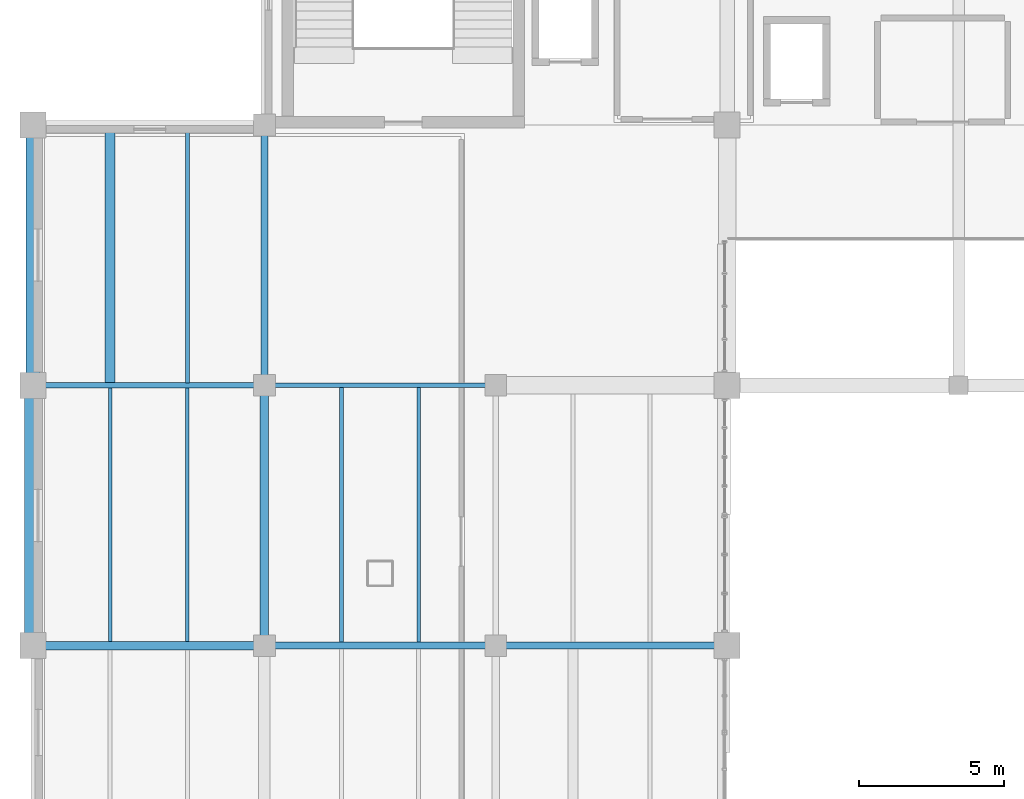
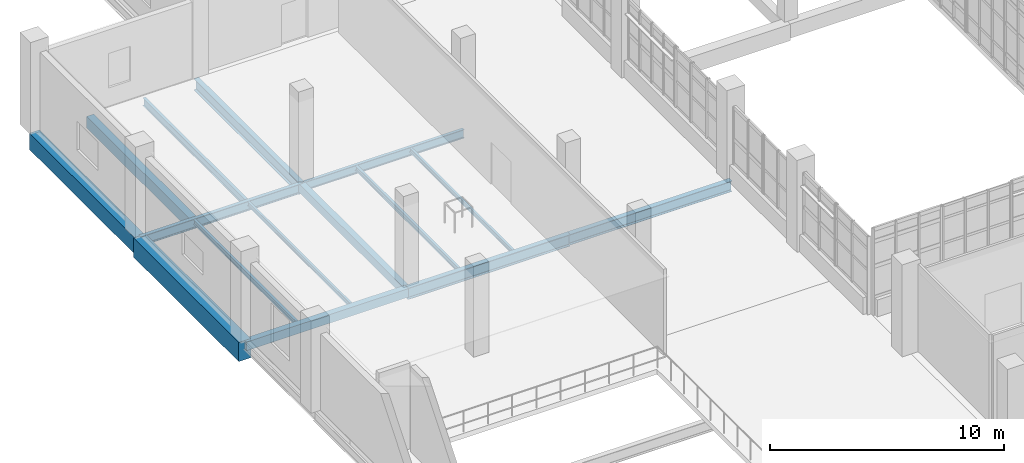
# One storey, part 24 of 102: 15 beams.
"""IFC4 building model written with IfcOpenShell, lengths in metres."""

from ifc_helpers import new_model, si_unit, derived_unit, direction, frame, origin, origin_2d, place, context, subcontext, project, spatial, rectangle, i_section, extrude, material, material_profile, profile_set, type_object, element, save


model = new_model("IFC4")

# Units and contexts
model_context = context("Model", 3, precision=1e-05, world=origin(), true_north=direction((0.0, 1.0)))
body_context = subcontext(model_context, "Body", "Model", "MODEL_VIEW")
ifc_project = project(units=[si_unit("LENGTHUNIT", "METRE"), si_unit("AREAUNIT", "SQUARE_METRE"), si_unit("VOLUMEUNIT", "CUBIC_METRE"), si_unit("PLANEANGLEUNIT", "RADIAN"), si_unit("MASSUNIT", "GRAM", prefix="KILO"), derived_unit("THERMALTRANSMITTANCEUNIT", [(si_unit("POWERUNIT", "WATT"), 1), (si_unit("LENGTHUNIT", "METRE"), -2), (si_unit("THERMODYNAMICTEMPERATUREUNIT", "KELVIN"), -1)])], contexts=[model_context])

# Site, building, storey
site_placement = place(None, origin())
site = spatial("IfcSite", under=ifc_project, at=site_placement, CompositionType="ELEMENT")
building_placement = place(site_placement, origin())
building = spatial("IfcBuilding", under=site, at=building_placement, Name="Nallur Shell Playhouse", CompositionType="ELEMENT")
storey_placement = place(building_placement, frame((0.0, 0.0, 15.0)))
storey = spatial("IfcBuildingStorey", under=building, at=storey_placement, Name="L04", CompositionType="ELEMENT", Elevation=15.0)

# Beams
ifc_material_1 = material(Name="Steel E250", Category="steel")
ifc_material_profile_1 = material_profile(ifc_material_1, i_section(OverallWidth=0.110107421875, OverallDepth=0.22509765625, WebThickness=0.006591796875, FlangeThickness=0.01171875, FilletRadius=0.011962890625, at=origin_2d()), Name="ISMB 225")
ifc_profile_set_1 = profile_set([ifc_material_profile_1], Name="Steel E250")
beam_type_1 = type_object("IfcBeamType", Name="BM-JST-ISMB225", PredefinedType="JOIST", material=ifc_profile_set_1)
beam_1_placement = place(storey_placement, frame((21.333251953125, 56.14794921875, -0.37255859375), z_axis=(0.0, 1.0, 0.0), x_axis=(-1.0, 0.0, 0.0)))
element("IfcBeam", 1, at=beam_1_placement, inside=storey, type_object=beam_type_1, Name="L04 secondary joist 2-G-881", PredefinedType="JOIST", context=body_context, shape_type="SweptSolid", body=[
    extrude(i_section(OverallWidth=0.110107421875, OverallDepth=0.22509765625, WebThickness=0.006591796875, FlangeThickness=0.01171875, FilletRadius=0.011962890625, at=origin_2d()), origin(), (0.0, 0.0, 1.0), 8.76416015625),
])
beam_2_placement = place(storey_placement, frame((29.333251953125, 56.123046875, -0.37255859375), z_axis=(0.0, 1.0, 0.0), x_axis=(-1.0, 0.0, 0.0)))
element("IfcBeam", 2, at=beam_2_placement, inside=storey, type_object=beam_type_1, Name="L04 secondary joist 3-G-887", PredefinedType="JOIST", context=body_context, shape_type="SweptSolid", body=[
    extrude(i_section(OverallWidth=0.110107421875, OverallDepth=0.22509765625, WebThickness=0.006591796875, FlangeThickness=0.01171875, FilletRadius=0.011962890625, at=origin_2d()), origin(), (0.0, 0.0, 1.0), 8.803955078125),
])
ifc_material_profile_2 = material_profile(ifc_material_1, i_section(OverallWidth=0.125, OverallDepth=0.25, WebThickness=0.0068359375, FlangeThickness=0.012451171875, FilletRadius=0.012939453125, at=origin_2d()), Name="ISMB 250")
ifc_profile_set_2 = profile_set([ifc_material_profile_2], Name="Steel E250")
beam_type_2 = type_object("IfcBeamType", Name="BM-JST-ISMB250", PredefinedType="JOIST", material=ifc_profile_set_2)
beam_3_placement = place(storey_placement, frame((18.666748046875, 56.14794921875, -0.385009765625), z_axis=(0.0, 1.0, 0.0), x_axis=(-1.0, 0.0, 0.0)))
element("IfcBeam", 3, at=beam_3_placement, inside=storey, type_object=beam_type_2, Name="L04 secondary joist 2-G-880", PredefinedType="JOIST", context=body_context, shape_type="SweptSolid", body=[
    extrude(i_section(OverallWidth=0.125, OverallDepth=0.25, WebThickness=0.0068359375, FlangeThickness=0.012451171875, FilletRadius=0.012939453125, at=origin_2d()), origin(), (0.0, 0.0, 1.0), 8.76416015625),
])
beam_4_placement = place(storey_placement, frame((26.666748046875, 56.123046875, -0.385009765625), z_axis=(0.0, 1.0, 0.0), x_axis=(-1.0, 0.0, 0.0)))
element("IfcBeam", 4, at=beam_4_placement, inside=storey, type_object=beam_type_2, Name="L04 secondary joist 3-G-886", PredefinedType="JOIST", context=body_context, shape_type="SweptSolid", body=[
    extrude(i_section(OverallWidth=0.125, OverallDepth=0.25, WebThickness=0.0068359375, FlangeThickness=0.012451171875, FilletRadius=0.012939453125, at=origin_2d()), origin(), (0.0, 0.0, 1.0), 8.803955078125),
])
ifc_material_profile_3 = material_profile(ifc_material_1, i_section(OverallWidth=0.139892578125, OverallDepth=0.39990234375, WebThickness=0.0087890625, FlangeThickness=0.01611328125, FilletRadius=0.013916015625, at=origin_2d()), Name="ISMB 400")
ifc_profile_set_3 = profile_set([ifc_material_profile_3], Name="Steel E250")
beam_type_3 = type_object("IfcBeamType", Name="BM-JST-ISMB400", PredefinedType="JOIST", material=ifc_profile_set_3)
beam_5_placement = place(storey_placement, frame((21.333251953125, 65.087890625, -0.4599609375), z_axis=(0.0, 1.0, 0.0), x_axis=(-1.0, 0.0, 0.0)))
element("IfcBeam", 5, at=beam_5_placement, inside=storey, type_object=beam_type_3, Name="L04 secondary joist 2-H-883", PredefinedType="JOIST", context=body_context, shape_type="SweptSolid", body=[
    extrude(i_section(OverallWidth=0.139892578125, OverallDepth=0.39990234375, WebThickness=0.0087890625, FlangeThickness=0.01611328125, FilletRadius=0.013916015625, at=origin_2d()), origin(), (0.0, 0.0, 1.0), 8.76416015625),
])
ifc_material_2 = material(Name="Concrete M30", Category="concrete")
ifc_material_profile_4 = material_profile(ifc_material_2, rectangle(XDim=0.35009765625, YDim=0.60009765625, at=origin_2d()), Name="RC 350x600")
ifc_profile_set_4 = profile_set([ifc_material_profile_4], Name="Concrete M30")
beam_type_4 = type_object("IfcBeamType", Name="BM-RC-350x600", PredefinedType="JOIST", material=ifc_profile_set_4)
beam_6_placement = place(storey_placement, frame((18.666748046875, 65.087890625, -0.56005859375), z_axis=(0.0, 1.0, 0.0), x_axis=(-1.0, 0.0, 0.0)))
element("IfcBeam", 6, at=beam_6_placement, inside=storey, type_object=beam_type_4, Name="L04 secondary joist 2-H-882", PredefinedType="JOIST", context=body_context, shape_type="SweptSolid", body=[
    extrude(rectangle(XDim=0.35009765625, YDim=0.60009765625, at=origin_2d()), origin(), (0.0, 0.0, 1.0), 8.76416015625),
])
ifc_material_3 = material(Name="Concrete M40", Category="concrete")
ifc_material_profile_5 = material_profile(ifc_material_3, rectangle(XDim=0.5, YDim=0.85009765625, at=origin_2d()), Name="RC 500x850")
ifc_profile_set_5 = profile_set([ifc_material_profile_5], Name="Concrete M40")
beam_type_5 = type_object("IfcBeamType", Name="BM-RC-500x850", PredefinedType="BEAM", material=ifc_profile_set_5)
beam_7_placement = place(storey_placement, frame((16.0, 65.0, -0.68505859375), z_axis=(0.0, 1.0, 0.0), x_axis=(-1.0, 0.0, 0.0)))
element("IfcBeam", 7, at=beam_7_placement, inside=storey, type_object=beam_type_5, Name="L04 girder Y-2-813", PredefinedType="BEAM", context=body_context, shape_type="SweptSolid", body=[
    extrude(rectangle(XDim=0.5, YDim=0.85009765625, at=origin_2d()), origin(), (0.0, 0.0, 1.0), 9.0),
])
ifc_material_profile_6 = material_profile(ifc_material_3, rectangle(XDim=0.60009765625, YDim=1.0, at=origin_2d()), Name="RC 600x1000")
ifc_profile_set_6 = profile_set([ifc_material_profile_6], Name="Concrete M40")
beam_type_6 = type_object("IfcBeamType", Name="BM-RC-600x1000", PredefinedType="BEAM", material=ifc_profile_set_6)
beam_8_placement = place(storey_placement, frame((16.0, 56.0, -0.760009765625), z_axis=(0.0, 1.0, 0.0), x_axis=(-1.0, 0.0, 0.0)))
element("IfcBeam", 8, at=beam_8_placement, inside=storey, type_object=beam_type_6, Name="L04 girder Y-2-812", PredefinedType="BEAM", context=body_context, shape_type="SweptSolid", body=[
    extrude(rectangle(XDim=0.60009765625, YDim=1.0, at=origin_2d()), origin(), (0.0, 0.0, 1.0), 9.0),
])
ifc_material_4 = material(Name="Concrete M35", Category="concrete")
ifc_material_profile_7 = material_profile(ifc_material_4, rectangle(XDim=0.300048828125, YDim=0.449951171875, at=origin_2d()), Name="RC 300x450")
ifc_profile_set_7 = profile_set([ifc_material_profile_7], Name="Concrete M35")
beam_type_7 = type_object("IfcBeamType", Name="BM-SPN-300x450", PredefinedType="SPANDREL", material=ifc_profile_set_7)
beam_9_placement = place(storey_placement, frame((16.0, 56.0, -0.485107421875), z_axis=(1.0, 0.0, 0.0), x_axis=(0.0, 1.0, 0.0)))
element("IfcBeam", 9, at=beam_9_placement, inside=storey, type_object=beam_type_7, Name="L04 girder X-G-784", PredefinedType="SPANDREL", context=body_context, shape_type="SweptSolid", body=[
    extrude(rectangle(XDim=0.300048828125, YDim=0.449951171875, at=origin_2d()), origin(), (0.0, 0.0, 1.0), 8.0),
])
beam_10_placement = place(storey_placement, frame((24.0, 56.0, -0.485107421875), z_axis=(0.0, 1.0, 0.0), x_axis=(-1.0, 0.0, 0.0)))
element("IfcBeam", 10, at=beam_10_placement, inside=storey, type_object=beam_type_7, Name="L04 girder Y-3-816", PredefinedType="SPANDREL", context=body_context, shape_type="SweptSolid", body=[
    extrude(rectangle(XDim=0.300048828125, YDim=0.449951171875, at=origin_2d()), origin(), (0.0, 0.0, 1.0), 9.0),
])
ifc_material_5 = material(Name="Steel E350", Category="steel")
ifc_material_profile_8 = material_profile(ifc_material_5, i_section(OverallWidth=0.14990234375, OverallDepth=0.449951171875, WebThickness=0.009521484375, FlangeThickness=0.017333984375, FilletRadius=0.014892578125, at=origin_2d()), Name="ISMB 450")
ifc_profile_set_8 = profile_set([ifc_material_profile_8], Name="Steel E350")
beam_type_8 = type_object("IfcBeamType", Name="BM-ST-ISMB450", PredefinedType="BEAM", material=ifc_profile_set_8)
beam_11_placement = place(storey_placement, frame((24.0, 65.0, -0.485107421875), z_axis=(1.0, 0.0, 0.0), x_axis=(0.0, 1.0, 0.0)))
element("IfcBeam", 11, at=beam_11_placement, inside=storey, type_object=beam_type_8, Name="L04 girder X-H-795", PredefinedType="BEAM", context=body_context, shape_type="SweptSolid", body=[
    extrude(i_section(OverallWidth=0.14990234375, OverallDepth=0.449951171875, WebThickness=0.009521484375, FlangeThickness=0.017333984375, FilletRadius=0.014892578125, at=origin_2d()), origin(), (0.0, 0.0, 1.0), 8.0),
])
ifc_material_profile_9 = material_profile(ifc_material_5, i_section(OverallWidth=0.179931640625, OverallDepth=0.5, WebThickness=0.01025390625, FlangeThickness=0.01708984375, FilletRadius=0.01708984375, at=origin_2d()), Name="ISMB 500")
ifc_profile_set_9 = profile_set([ifc_material_profile_9], Name="Steel E350")
beam_type_9 = type_object("IfcBeamType", Name="BM-ST-ISMB500", PredefinedType="BEAM", material=ifc_profile_set_9)
beam_12_placement = place(storey_placement, frame((16.0, 65.0, -0.510009765625), z_axis=(1.0, 0.0, 0.0), x_axis=(0.0, 1.0, 0.0)))
element("IfcBeam", 12, at=beam_12_placement, inside=storey, type_object=beam_type_9, Name="L04 girder X-H-794", PredefinedType="BEAM", context=body_context, shape_type="SweptSolid", body=[
    extrude(i_section(OverallWidth=0.179931640625, OverallDepth=0.5, WebThickness=0.01025390625, FlangeThickness=0.01708984375, FilletRadius=0.01708984375, at=origin_2d()), origin(), (0.0, 0.0, 1.0), 8.0),
])
ifc_material_profile_10 = material_profile(ifc_material_5, i_section(OverallWidth=0.25, OverallDepth=0.550048828125, WebThickness=0.010498046875, FlangeThickness=0.017578125, FilletRadius=0.01611328125, at=origin_2d()), Name="ISWB 550")
ifc_profile_set_10 = profile_set([ifc_material_profile_10], Name="Steel E350")
beam_type_10 = type_object("IfcBeamType", Name="BM-ST-ISWB550", PredefinedType="BEAM", material=ifc_profile_set_10)
beam_13_placement = place(storey_placement, frame((32.0, 56.0, -0.534912109375), z_axis=(1.0, 0.0, 0.0), x_axis=(0.0, 1.0, 0.0)))
element("IfcBeam", 13, at=beam_13_placement, inside=storey, type_object=beam_type_10, Name="L04 girder X-G-786", PredefinedType="BEAM", context=body_context, shape_type="SweptSolid", body=[
    extrude(i_section(OverallWidth=0.25, OverallDepth=0.550048828125, WebThickness=0.010498046875, FlangeThickness=0.017578125, FilletRadius=0.01611328125, at=origin_2d()), origin(), (0.0, 0.0, 1.0), 8.0),
])
ifc_material_profile_11 = material_profile(ifc_material_5, i_section(OverallWidth=0.25, OverallDepth=0.60009765625, WebThickness=0.01171875, FlangeThickness=0.023681640625, FilletRadius=0.01708984375, at=origin_2d()), Name="ISWB 600")
ifc_profile_set_11 = profile_set([ifc_material_profile_11], Name="Steel E350")
beam_type_11 = type_object("IfcBeamType", Name="BM-ST-ISWB600", PredefinedType="BEAM", material=ifc_profile_set_11)
beam_14_placement = place(storey_placement, frame((24.0, 56.0, -0.56005859375), z_axis=(1.0, 0.0, 0.0), x_axis=(0.0, 1.0, 0.0)))
element("IfcBeam", 14, at=beam_14_placement, inside=storey, type_object=beam_type_11, Name="L04 girder X-G-785", PredefinedType="BEAM", context=body_context, shape_type="SweptSolid", body=[
    extrude(i_section(OverallWidth=0.25, OverallDepth=0.60009765625, WebThickness=0.01171875, FlangeThickness=0.023681640625, FilletRadius=0.01708984375, at=origin_2d()), origin(), (0.0, 0.0, 1.0), 8.0),
])
beam_15_placement = place(storey_placement, frame((24.0, 65.0, -0.56005859375), z_axis=(0.0, 1.0, 0.0), x_axis=(-1.0, 0.0, 0.0)))
element("IfcBeam", 15, at=beam_15_placement, inside=storey, type_object=beam_type_11, Name="L04 girder Y-3-817", PredefinedType="BEAM", context=body_context, shape_type="SweptSolid", body=[
    extrude(i_section(OverallWidth=0.25, OverallDepth=0.60009765625, WebThickness=0.01171875, FlangeThickness=0.023681640625, FilletRadius=0.01708984375, at=origin_2d()), origin(), (0.0, 0.0, 1.0), 9.0),
])

save(model, "model.ifc")
